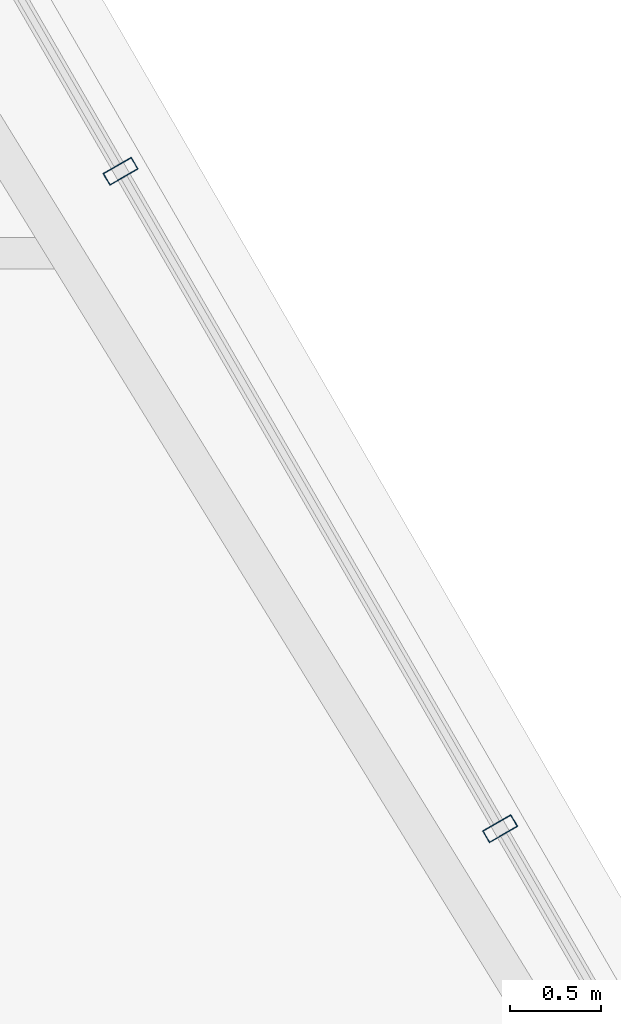
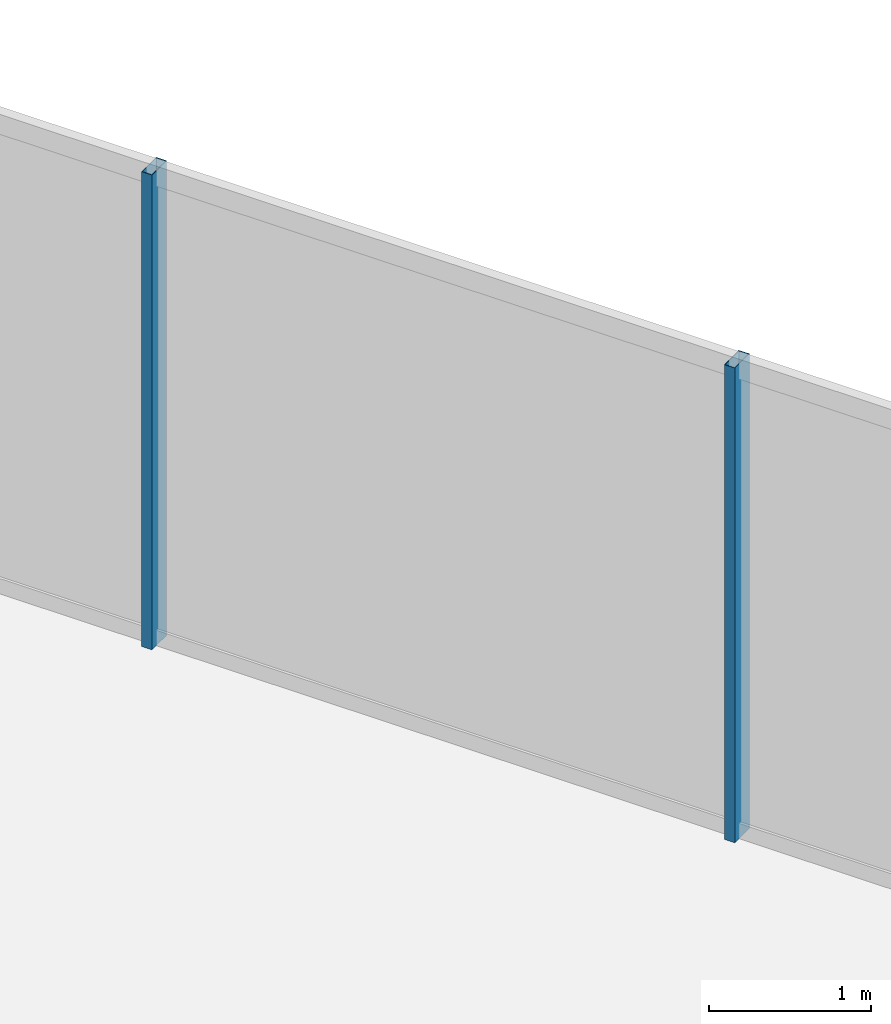
# One storey, part 21 of 35: 2 members, 1 element without a shape of its own.
"""IFC4 building model written with IfcOpenShell, lengths in metres."""

from ifc_helpers import new_model, si_unit, direction, frame, origin, origin_2d, place, context, subcontext, project, spatial, hollow_rectangle, extrude, material, layer, layer_set, material_profile, profile_set, type_object, element, aggregate, save


model = new_model("IFC4")

# Units and contexts
model_context = context("Model", 3, precision=1e-05, world=origin(), true_north=direction((0.0, 1.0)))
body_context = subcontext(model_context, "Body", "Model", "MODEL_VIEW")
ifc_project = project(units=[si_unit("LENGTHUNIT", "METRE"), si_unit("AREAUNIT", "SQUARE_METRE"), si_unit("VOLUMEUNIT", "CUBIC_METRE"), si_unit("PLANEANGLEUNIT", "RADIAN"), si_unit("MASSUNIT", "GRAM", prefix="KILO")], contexts=[model_context])

# Site, building, storey
site_placement = place(None, origin())
site = spatial("IfcSite", under=ifc_project, at=site_placement, CompositionType="ELEMENT")
building_placement = place(site_placement, origin())
building = spatial("IfcBuilding", under=site, at=building_placement, Name="Ndaravel Arena Tower", CompositionType="ELEMENT")
storey_placement = place(building_placement, frame((0.0, 0.0, 172.60009765625)))
storey = spatial("IfcBuildingStorey", under=building, at=storey_placement, Name="L41", CompositionType="ELEMENT", Elevation=172.60009765625)

# Curtain wall, members
ifc_material_1 = material(Name="Aluminium", Category="aluminium")
ifc_layer = layer(ifc_material_1, 0.179931640625)
ifc_layer_set = layer_set([ifc_layer], Name="Aluminium")
curtain_wall_type = type_object("IfcCurtainWallType", Name="CW-SYS-03", PredefinedType="NOTDEFINED", material=ifc_layer_set)
curtain_wall_placement = place(storey_placement, origin())
curtain_wall = element("IfcCurtainWall", 1, at=curtain_wall_placement, inside=storey, type_object=curtain_wall_type, Name="L41 Faceted Crystal Curtain Wall CW-L41-E03", PredefinedType="NOTDEFINED")
ifc_material_2 = material(Name="Aluminium", Category="aluminium")
ifc_material_profile = material_profile(ifc_material_2, hollow_rectangle(XDim=0.074951171875, YDim=0.179931640625, WallThickness=0.00390625, at=origin_2d()), Name="CW MULLION 75x180x4")
ifc_profile_set = profile_set([ifc_material_profile], Name="Aluminium")
member_type = type_object("IfcMemberType", Name="MEM-CW-MUL180", PredefinedType="MULLION", material=ifc_profile_set)
member_1_placement = place(storey_placement, frame((55.331298828125, 31.850341796875, 0.0), z_axis=(0.0, 0.0, 1.0), x_axis=(-0.5, 0.866025403784, 0.0)))
member_1 = element("IfcMember", 2, at=member_1_placement, type_object=member_type, Name="CW-L41-E03 Mullion 05", PredefinedType="MULLION", context=body_context, shape_type="SweptSolid", body=[
    extrude(hollow_rectangle(XDim=0.074951171875, YDim=0.179931640625, WallThickness=0.00390625, at=origin_2d()), origin(), (0.0, 0.0, 1.0), 3.579833984375),
])
member_2_placement = place(storey_placement, frame((53.25341796875, 35.44970703125, 0.0), z_axis=(0.0, 0.0, 1.0), x_axis=(-0.5, 0.866025403784, 0.0)))
member_2 = element("IfcMember", 3, at=member_2_placement, type_object=member_type, Name="CW-L41-E03 Mullion 06", PredefinedType="MULLION", context=body_context, shape_type="SweptSolid", body=[
    extrude(hollow_rectangle(XDim=0.074951171875, YDim=0.179931640625, WallThickness=0.00390625, at=origin_2d()), origin(), (0.0, 0.0, 1.0), 3.579833984375),
])
aggregate(curtain_wall, [member_1, member_2])

save(model, "model.ifc")
